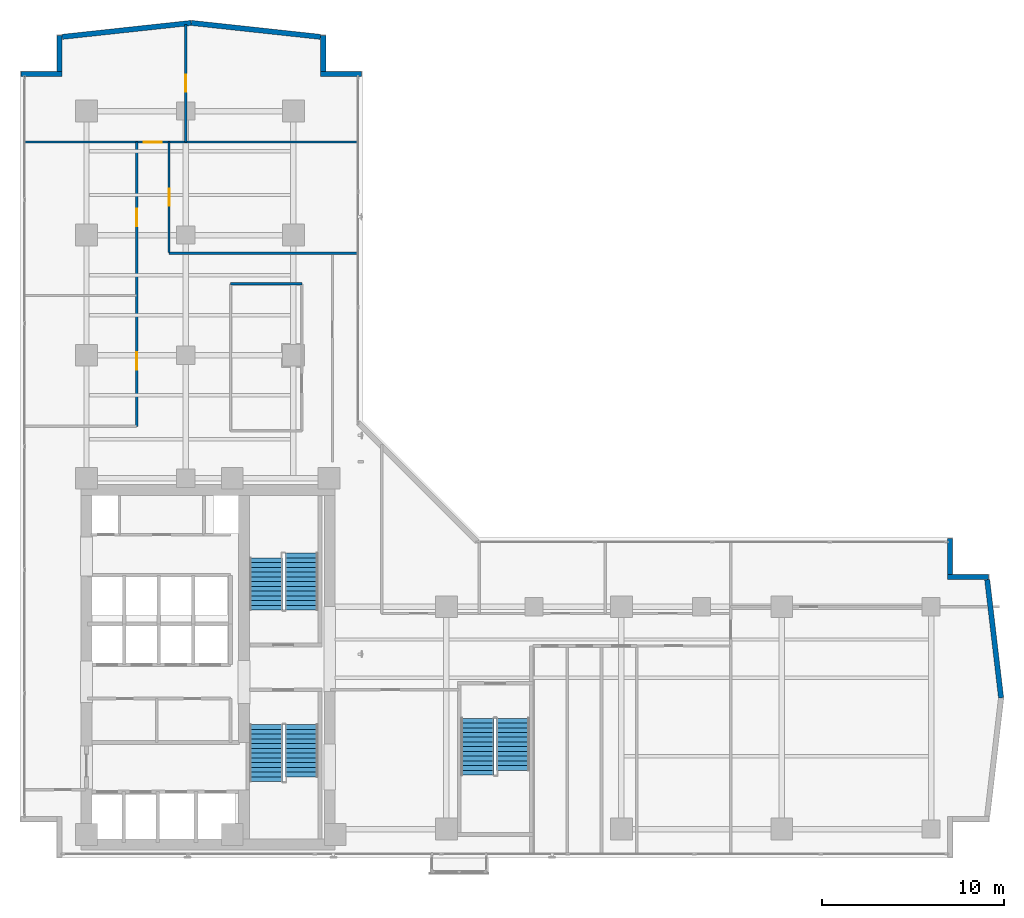
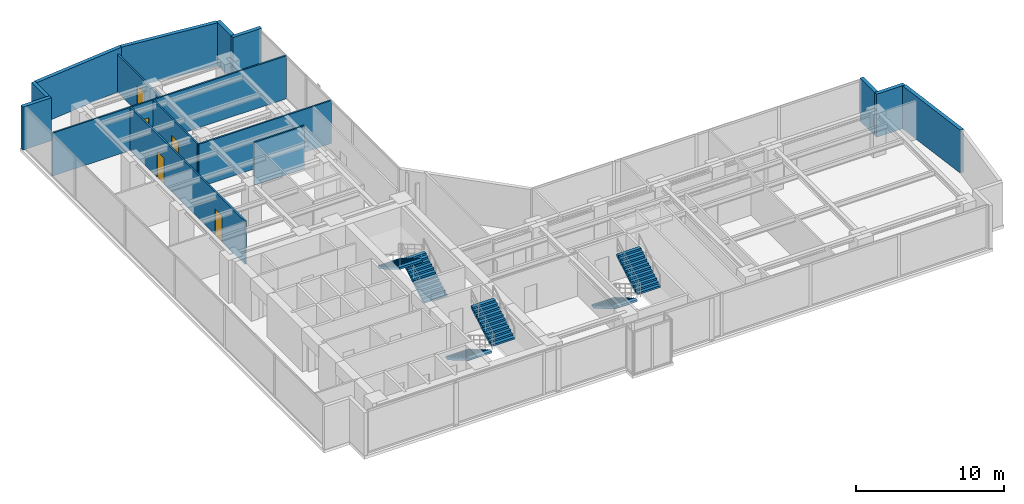
# One storey, part 21 of 24: 15 walls, 6 stair flights, 5 doors, 5 openings, 3 elements without a shape of their own.
"""IFC4 building model written with IfcOpenShell, lengths in metres."""

from ifc_helpers import new_model, si_unit, direction, frame, frame_2d, origin, place, context, subcontext, project, spatial, polyline, rectangle, outline, extrude, material, layer, layer_set, type_object, element, fill, aggregate, save


model = new_model("IFC4")

# Units and contexts
model_context = context("Model", 3, precision=1e-05, world=origin(), true_north=direction((0.0, 1.0)))
body_context = subcontext(model_context, "Body", "Model", "MODEL_VIEW")
ifc_project = project(units=[si_unit("LENGTHUNIT", "METRE"), si_unit("AREAUNIT", "SQUARE_METRE"), si_unit("VOLUMEUNIT", "CUBIC_METRE"), si_unit("PLANEANGLEUNIT", "RADIAN"), si_unit("MASSUNIT", "GRAM", prefix="KILO")], contexts=[model_context])

# Site, building, storey
site_placement = place(None, origin())
site = spatial("IfcSite", under=ifc_project, at=site_placement, CompositionType="ELEMENT")
building_placement = place(site_placement, origin())
building = spatial("IfcBuilding", under=site, at=building_placement, Name="Kolvaren Waterfront Exchange", CompositionType="ELEMENT")
storey_placement = place(building_placement, frame((0.0, 0.0, 184.199951171875)))
storey = spatial("IfcBuildingStorey", under=building, at=storey_placement, Name="L47", CompositionType="ELEMENT", Elevation=184.199951171875)

# Walls
ifc_material_1 = material(Name="Precast concrete C40/50", Category="concrete")
ifc_layer_1 = layer(ifc_material_1, 0.280029296875, Name="Precast concrete C40/50")
ifc_layer_set_1 = layer_set([ifc_layer_1], Name="Precast concrete C40/50")
wall_type_1 = type_object("IfcWallType", Name="ARC-EXT-TERR-280", PredefinedType="SOLIDWALL", material=ifc_layer_set_1)
wall_1_placement = place(storey_placement, frame((54.840087890625, 19.1650390625, 0.0), z_axis=(0.0, 0.0, 1.0), x_axis=(0.0, 1.0, 0.0)))
element("IfcWall", 1, at=wall_1_placement, inside=storey, type_object=wall_type_1, Name="L47 notched corner spandrel pier ENE-A", PredefinedType="SOLIDWALL", context=body_context, shape_type="SweptSolid", body=[
    extrude(rectangle(XDim=1.974853515625, YDim=0.280029296875, at=frame_2d((0.9873046875, 0.0))), origin(), (0.0, 0.0, 1.0), 3.56005859375),
])
for number, where, z_axis, x_axis, name in (
    (2, (54.699951171875, 19.0400390625, 0.0), (0.0, 0.0, 1.0), (1.0, 0.0, 0.0), "L47 notched corner spandrel pier ENE-B"),
    (3, (20.300048828125, 46.639892578125, 0.0), (0.0, 0.0, 1.0), (1.0, 0.0, 0.0), "L47 notched corner spandrel pier NNE-A"),
):
    element("IfcWall", number, at=place(storey_placement, frame(where, z_axis=z_axis, x_axis=x_axis)), inside=storey, type_object=wall_type_1, Name=name, PredefinedType="SOLIDWALL", context=body_context, shape_type="SweptSolid", body=[
        extrude(rectangle(XDim=2.239990234375, YDim=0.280029296875, at=frame_2d((1.1201171875, 0.0))), origin(), (0.0, 0.0, 1.0), 3.56005859375),
    ])
wall_2_placement = place(storey_placement, frame((20.43994140625, 46.780029296875, 0.0), z_axis=(0.0, 0.0, 1.0), x_axis=(0.0, 1.0, 0.0)))
element("IfcWall", 4, at=wall_2_placement, inside=storey, type_object=wall_type_1, Name="L47 notched corner spandrel pier NNE-B", PredefinedType="SOLIDWALL", context=body_context, shape_type="SweptSolid", body=[
    extrude(rectangle(XDim=1.9599609375, YDim=0.280029296875, at=frame_2d((0.97998046875, 0.0))), origin(), (0.0, 0.0, 1.0), 3.56005859375),
])
wall_3_placement = place(storey_placement, frame((3.860107421875, 46.639892578125, 0.0), z_axis=(0.0, 0.0, 1.0), x_axis=(1.0, 0.0, 0.0)))
element("IfcWall", 5, at=wall_3_placement, inside=storey, type_object=wall_type_1, Name="L47 notched corner spandrel pier NW-A", PredefinedType="SOLIDWALL", context=body_context, shape_type="SweptSolid", body=[
    extrude(rectangle(XDim=2.239990234375, YDim=0.280029296875, at=frame_2d((1.1201171875, 0.0))), origin(), (0.0, 0.0, 1.0), 3.56005859375),
])
wall_4_placement = place(storey_placement, frame((5.9599609375, 46.780029296875, 0.0), z_axis=(0.0, 0.0, 1.0), x_axis=(0.0, 1.0, 0.0)))
element("IfcWall", 6, at=wall_4_placement, inside=storey, type_object=wall_type_1, Name="L47 notched corner spandrel pier NW-B", PredefinedType="SOLIDWALL", context=body_context, shape_type="SweptSolid", body=[
    extrude(rectangle(XDim=1.9599609375, YDim=0.280029296875, at=frame_2d((0.97998046875, 0.0))), origin(), (0.0, 0.0, 1.0), 3.56005859375),
])
wall_5_placement = place(storey_placement, frame((57.638916015625, 12.401123046875, 0.0), z_axis=(0.0, 0.0, 1.0), x_axis=(-0.11685426921, 0.993149072278, 0.0)))
element("IfcWall", 7, at=wall_5_placement, inside=storey, type_object=wall_type_1, Name="L47 east prow faceted facade wall 2", PredefinedType="SOLIDWALL", context=body_context, shape_type="SweptSolid", body=[
    extrude(rectangle(XDim=6.52685546875, YDim=0.280029296875, at=frame_2d((3.263427734375, 0.0))), origin(), (0.0, 0.0, 1.0), 3.56005859375),
])
for number, where, z_axis, x_axis, name in (
    (8, (20.284423828125, 48.673095703125, 0.0), (0.0, 0.0, 1.0), (-0.994206651606, 0.107485505548, 0.0), "L47 north prow faceted facade wall 1"),
    (9, (13.197265625, 49.438720703125, 0.0), (0.0, 0.0, 1.0), (-0.994206651606, -0.107485505548, 0.0), "L47 north prow faceted facade wall 2"),
):
    element("IfcWall", number, at=place(storey_placement, frame(where, z_axis=z_axis, x_axis=x_axis)), inside=storey, type_object=wall_type_1, Name=name, PredefinedType="SOLIDWALL", context=body_context, shape_type="SweptSolid", body=[
        extrude(rectangle(XDim=7.123046875, YDim=0.280029296875, at=frame_2d((3.5615234375, 0.0))), origin(), (0.0, 0.0, 1.0), 3.56005859375),
    ])
ifc_material_2 = material(Name="Acoustic gypsum steel stud", Category="steel")
ifc_layer_2 = layer(ifc_material_2, 0.125, Name="Acoustic gypsum steel stud")
ifc_layer_set_2 = layer_set([ifc_layer_2], Name="Acoustic gypsum steel stud")
wall_type_2 = type_object("IfcWallType", Name="ARC-PART-125", PredefinedType="PARTITIONING", material=ifc_layer_set_2)
wall_6_placement = place(storey_placement, frame((15.35009765625, 35.1201171875, 0.0), z_axis=(0.0, 0.0, 1.0), x_axis=(1.0, 0.0, 0.0)))
element("IfcWall", 10, at=wall_6_placement, inside=storey, type_object=wall_type_2, Name="L47 interior wall PW-L47-ISL-N", PredefinedType="PARTITIONING", context=body_context, shape_type="SweptSolid", body=[
    extrude(rectangle(XDim=3.919921875, YDim=0.125, at=frame_2d((1.9599609375, 0.0))), origin(), (0.0, 0.0, 1.0), 3.56005859375),
])
wall_7_placement = place(storey_placement, frame((11.97998046875, 36.800048828125, 0.0), z_axis=(0.0, 0.0, 1.0), x_axis=(1.0, 0.0, 0.0)))
element("IfcWall", 11, at=wall_7_placement, inside=storey, type_object=wall_type_2, Name="L47 interior wall PW-L47-RFLANK-N", PredefinedType="PARTITIONING", context=body_context, shape_type="SweptSolid", body=[
    extrude(rectangle(XDim=10.380126953125, YDim=0.125, at=frame_2d((5.18994140625, 0.0))), origin(), (0.0, 0.0, 1.0), 3.56005859375),
])

# Wall, openings, doors
wall_8_placement = place(storey_placement, frame((10.199951171875, 27.300048828125, 0.0), z_axis=(0.0, 0.0, 1.0), x_axis=(0.0, 1.0, 0.0)))
wall_8 = element("IfcWall", 12, at=wall_8_placement, inside=storey, type_object=wall_type_2, Name="L47 interior wall PW-L47-NW-CORR", PredefinedType="PARTITIONING", context=body_context, shape_type="SweptSolid", body=[
    extrude(rectangle(XDim=15.599853515625, YDim=0.125, at=frame_2d((7.7998046875, 0.0))), origin(), (0.0, 0.0, 1.0), 3.56005859375),
])
opening_1_placement = place(wall_8_placement, frame((3.114990234375, 0.0, 0.0)))
opening_1 = element("IfcOpeningElement", 13, at=opening_1_placement, cuts=wall_8, Name="Opening D02", PredefinedType="OPENING", context=body_context, shape_type="SweptSolid", body=[
    extrude(rectangle(XDim=0.949951171875, YDim=2.14990234375, at=frame_2d((0.47509765625, 1.074951171875))), frame((0.0, 0.072509765625, 0.0), z_axis=(0.0, -1.0, 0.0), x_axis=(1.0, 0.0, 0.0)), (0.0, 0.0, 1.0), 0.14501953125),
])
opening_2_placement = place(wall_8_placement, frame((10.986083984375, 0.0, 0.0)))
opening_2 = element("IfcOpeningElement", 14, at=opening_2_placement, cuts=wall_8, Name="Opening D02", PredefinedType="OPENING", context=body_context, shape_type="SweptSolid", body=[
    extrude(rectangle(XDim=0.949951171875, YDim=2.14990234375, at=frame_2d((0.47509765625, 1.074951171875))), frame((0.0, 0.072509765625, 0.0), z_axis=(0.0, -1.0, 0.0), x_axis=(1.0, 0.0, 0.0)), (0.0, 0.0, 1.0), 0.14501953125),
])
ifc_material_3 = material(Name="Oak veneer acoustic timber", Category="wood")
door_type_1 = type_object("IfcDoorType", Name="ARC-DR-950", OperationType="NOTDEFINED", PredefinedType="DOOR", material=ifc_material_3)
door_1_placement = place(opening_1_placement, origin())
door_1 = element("IfcDoor", 15, at=door_1_placement, inside=storey, type_object=door_type_1, Name="L47 door DR-L47-NW-D-1 (D02)", OperationType="SINGLE_SWING_LEFT", OverallHeight=2.14990234375, OverallWidth=0.949951171875, PredefinedType="DOOR", context=body_context, shape_type="SweptSolid", body=[
    extrude(rectangle(XDim=0.949951171875, YDim=2.14990234375, at=frame_2d((0.47509765625, 1.074951171875))), frame((0.0, 0.02490234375, 0.0), z_axis=(0.0, -1.0, 0.0), x_axis=(1.0, 0.0, 0.0)), (0.0, 0.0, 1.0), 0.050048828125),
])
fill(opening_1, door_1)
door_2_placement = place(opening_2_placement, origin())
door_2 = element("IfcDoor", 16, at=door_2_placement, inside=storey, type_object=door_type_1, Name="L47 door DR-L47-NW-D-2 (D02)", OperationType="SINGLE_SWING_RIGHT", OverallHeight=2.14990234375, OverallWidth=0.949951171875, PredefinedType="DOOR", context=body_context, shape_type="SweptSolid", body=[
    extrude(rectangle(XDim=0.949951171875, YDim=2.14990234375, at=frame_2d((0.47509765625, 1.074951171875))), frame((0.0, 0.02490234375, 0.0), z_axis=(0.0, -1.0, 0.0), x_axis=(1.0, 0.0, 0.0)), (0.0, 0.0, 1.0), 0.050048828125),
])
fill(opening_2, door_2)

# Wall, opening, door
wall_9_placement = place(storey_placement, frame((4.0400390625, 42.89990234375, 0.0), z_axis=(0.0, 0.0, 1.0), x_axis=(1.0, 0.0, 0.0)))
wall_9 = element("IfcWall", 17, at=wall_9_placement, inside=storey, type_object=wall_type_2, Name="L47 interior wall PW-L47-NTIP-S", PredefinedType="PARTITIONING", context=body_context, shape_type="SweptSolid", body=[
    extrude(rectangle(XDim=18.320068359375, YDim=0.125, at=frame_2d((9.16015625, 0.0))), origin(), (0.0, 0.0, 1.0), 3.56005859375),
])
opening_3_placement = place(wall_9_placement, frame((6.550048828125, 0.0, 0.0)))
opening_3 = element("IfcOpeningElement", 18, at=opening_3_placement, cuts=wall_9, Name="Opening D03", PredefinedType="OPENING", context=body_context, shape_type="SweptSolid", body=[
    extrude(rectangle(XDim=1.0, YDim=2.199951171875, at=frame_2d((0.5, 1.10009765625))), frame((0.0, 0.072509765625, 0.0), z_axis=(0.0, -1.0, 0.0), x_axis=(1.0, 0.0, 0.0)), (0.0, 0.0, 1.0), 0.14501953125),
])
ifc_material_4 = material(Name="Oak veneer accessible timber", Category="wood")
door_type_2 = type_object("IfcDoorType", Name="ARC-DR-1000", OperationType="NOTDEFINED", PredefinedType="DOOR", material=ifc_material_4)
door_3_placement = place(opening_3_placement, origin())
door_3 = element("IfcDoor", 19, at=door_3_placement, inside=storey, type_object=door_type_2, Name="L47 door DR-L47-NTIPW-D (D03)", OperationType="SINGLE_SWING_LEFT", OverallHeight=2.199951171875, OverallWidth=1.0, PredefinedType="DOOR", context=body_context, shape_type="SweptSolid", body=[
    extrude(rectangle(XDim=1.0, YDim=2.199951171875, at=frame_2d((0.5, 1.10009765625))), frame((0.0, 0.02490234375, 0.0), z_axis=(0.0, -1.0, 0.0), x_axis=(1.0, 0.0, 0.0)), (0.0, 0.0, 1.0), 0.050048828125),
])
fill(opening_3, door_3)

wall_10_placement = place(storey_placement, frame((12.89990234375, 42.89990234375, 0.0), z_axis=(0.0, 0.0, 1.0), x_axis=(0.0, 1.0, 0.0)))
wall_10 = element("IfcWall", 20, at=wall_10_placement, inside=storey, type_object=wall_type_2, Name="L47 interior wall PW-L47-NTIP-DIV", PredefinedType="PARTITIONING", context=body_context, shape_type="SweptSolid", body=[
    extrude(rectangle(XDim=6.460205078125, YDim=0.125, at=frame_2d((3.22998046875, 0.0))), origin(), (0.0, 0.0, 1.0), 3.110107421875),
])
opening_4_placement = place(wall_10_placement, frame((2.75, 0.0, 0.0)))
opening_4 = element("IfcOpeningElement", 21, at=opening_4_placement, cuts=wall_10, Name="Opening D02", PredefinedType="OPENING", context=body_context, shape_type="SweptSolid", body=[
    extrude(rectangle(XDim=0.949951171875, YDim=2.14990234375, at=frame_2d((0.47509765625, 1.074951171875))), frame((0.0, 0.072509765625, 0.0), z_axis=(0.0, -1.0, 0.0), x_axis=(1.0, 0.0, 0.0)), (0.0, 0.0, 1.0), 0.14501953125),
])
door_4_placement = place(opening_4_placement, origin())
door_4 = element("IfcDoor", 22, at=door_4_placement, inside=storey, type_object=door_type_1, Name="L47 door DR-L47-NTIPE-D (D02)", OperationType="SINGLE_SWING_RIGHT", OverallHeight=2.14990234375, OverallWidth=0.949951171875, PredefinedType="DOOR", context=body_context, shape_type="SweptSolid", body=[
    extrude(rectangle(XDim=0.949951171875, YDim=2.14990234375, at=frame_2d((0.47509765625, 1.074951171875))), frame((0.0, 0.02490234375, 0.0), z_axis=(0.0, -1.0, 0.0), x_axis=(1.0, 0.0, 0.0)), (0.0, 0.0, 1.0), 0.050048828125),
])
fill(opening_4, door_4)

wall_11_placement = place(storey_placement, frame((11.97998046875, 36.85009765625, 0.0), z_axis=(0.0, 0.0, 1.0), x_axis=(0.0, 1.0, 0.0)))
wall_11 = element("IfcWall", 23, at=wall_11_placement, inside=storey, type_object=wall_type_2, Name="L47 interior wall PW-L47-NE-CORR", PredefinedType="PARTITIONING", context=body_context, shape_type="SweptSolid", body=[
    extrude(rectangle(XDim=6.0498046875, YDim=0.125, at=frame_2d((3.02490234375, 0.0))), origin(), (0.0, 0.0, 1.0), 3.56005859375),
])
opening_5_placement = place(wall_11_placement, frame((2.550048828125, 0.0, 0.0)))
opening_5 = element("IfcOpeningElement", 24, at=opening_5_placement, cuts=wall_11, Name="Opening D02", PredefinedType="OPENING", context=body_context, shape_type="SweptSolid", body=[
    extrude(rectangle(XDim=0.949951171875, YDim=2.14990234375, at=frame_2d((0.47509765625, 1.074951171875))), frame((0.0, 0.072509765625, 0.0), z_axis=(0.0, -1.0, 0.0), x_axis=(1.0, 0.0, 0.0)), (0.0, 0.0, 1.0), 0.14501953125),
])
door_5_placement = place(opening_5_placement, origin())
door_5 = element("IfcDoor", 25, at=door_5_placement, inside=storey, type_object=door_type_1, Name="L47 door DR-L47-NE-D-1 (D02)", OperationType="SINGLE_SWING_LEFT", OverallHeight=2.14990234375, OverallWidth=0.949951171875, PredefinedType="DOOR", context=body_context, shape_type="SweptSolid", body=[
    extrude(rectangle(XDim=0.949951171875, YDim=2.14990234375, at=frame_2d((0.47509765625, 1.074951171875))), frame((0.0, 0.02490234375, 0.0), z_axis=(0.0, -1.0, 0.0), x_axis=(1.0, 0.0, 0.0)), (0.0, 0.0, 1.0), 0.050048828125),
])
fill(opening_5, door_5)

# Stair, stair flights
ifc_material_5 = material(Name="Concrete C40/50", Category="concrete")
stair_type = type_object("IfcStairType", Name="ARC-STAIR-3800", PredefinedType="HALF_TURN_STAIR", material=ifc_material_5)
stair_1_placement = place(storey_placement, origin())
stair_1 = element("IfcStair", 26, at=stair_1_placement, inside=storey, type_object=stair_type, Name="L47 Smoke-proof exit stair ST1", PredefinedType="HALF_TURN_STAIR")
stair_flight_type = type_object("IfcStairFlightType", Name="ARC-FLIGHT-3800", PredefinedType="STRAIGHT", material=ifc_material_5)
stair_flight_1_placement = place(storey_placement, frame((17.300048828125, 10.929931640625, 0.0), z_axis=(0.0, 0.0, 1.0), x_axis=(0.0, -1.0, 0.0)))
stair_flight_1 = element("IfcStairFlight", 27, at=stair_flight_1_placement, type_object=stair_flight_type, Name="ST1 flight 1", NumberOfRisers=13, NumberOfTreads=12, PredefinedType="STRAIGHT", RiserHeight=0.152, TreadLength=0.26, context=body_context, shape_type="SweptSolid", body=[
    extrude(outline(polyline([(0.0, 0.0), (0.0, 0.152099609375), (0.260009765625, 0.152099609375), (0.260009765625, 0.303955078125), (0.52001953125, 0.303955078125), (0.52001953125, 0.4560546875), (0.780029296875, 0.4560546875), (0.780029296875, 0.60791015625), (1.0400390625, 0.60791015625), (1.0400390625, 0.760009765625), (1.300048828125, 0.760009765625), (1.300048828125, 0.912109375), (1.56005859375, 0.912109375), (1.56005859375, 1.06396484375), (1.820068359375, 1.06396484375), (1.820068359375, 1.216064453125), (2.080078125, 1.216064453125), (2.080078125, 1.367919921875), (2.340087890625, 1.367919921875), (2.340087890625, 1.52001953125), (2.60009765625, 1.52001953125), (2.60009765625, 1.672119140625), (2.860107421875, 1.672119140625), (2.860107421875, 1.823974609375), (3.1201171875, 1.823974609375), (3.1201171875, 1.97607421875), (3.1201171875, 1.650390625), (0.297119140625, 0.0), (0.0, 0.0)])), frame((0.0, 0.89990234375, 0.0), z_axis=(0.0, -1.0, 0.0), x_axis=(1.0, 0.0, 0.0)), (0.0, 0.0, 1.0), 1.800048828125),
])
stair_flight_2_placement = place(storey_placement, frame((19.260009765625, 8.070068359375, 1.97607421875), z_axis=(0.0, 0.0, 1.0), x_axis=(0.0, 1.0, 0.0)))
stair_flight_2 = element("IfcStairFlight", 28, at=stair_flight_2_placement, type_object=stair_flight_type, Name="ST1 flight 2", NumberOfRisers=12, NumberOfTreads=11, PredefinedType="STRAIGHT", RiserHeight=0.152, TreadLength=0.26, context=body_context, shape_type="SweptSolid", body=[
    extrude(outline(polyline([(0.0, 0.0), (0.0, 0.152099609375), (0.260009765625, 0.152099609375), (0.260009765625, 0.303955078125), (0.52001953125, 0.303955078125), (0.52001953125, 0.4560546875), (0.780029296875, 0.4560546875), (0.780029296875, 0.60791015625), (1.0400390625, 0.60791015625), (1.0400390625, 0.760009765625), (1.300048828125, 0.760009765625), (1.300048828125, 0.912109375), (1.56005859375, 0.912109375), (1.56005859375, 1.06396484375), (1.820068359375, 1.06396484375), (1.820068359375, 1.216064453125), (2.080078125, 1.216064453125), (2.080078125, 1.367919921875), (2.340087890625, 1.367919921875), (2.340087890625, 1.52001953125), (2.60009765625, 1.52001953125), (2.60009765625, 1.672119140625), (2.860107421875, 1.672119140625), (2.860107421875, 1.823974609375), (2.860107421875, 1.498291015625), (0.297119140625, 0.0), (0.0, 0.0)])), frame((0.0, 0.89990234375, 0.0), z_axis=(0.0, -1.0, 0.0), x_axis=(1.0, 0.0, 0.0)), (0.0, 0.0, 1.0), 1.800048828125),
])
aggregate(stair_1, [stair_flight_1, stair_flight_2])

stair_2_placement = place(storey_placement, origin())
stair_2 = element("IfcStair", 29, at=stair_2_placement, inside=storey, type_object=stair_type, Name="L47 Smoke-proof exit stair ST2", PredefinedType="HALF_TURN_STAIR")
stair_flight_3_placement = place(storey_placement, frame((19.260009765625, 17.219970703125, 0.0), z_axis=(0.0, 0.0, 1.0), x_axis=(0.0, 1.0, 0.0)))
stair_flight_3 = element("IfcStairFlight", 30, at=stair_flight_3_placement, type_object=stair_flight_type, Name="ST2 flight 1", NumberOfRisers=13, NumberOfTreads=12, PredefinedType="STRAIGHT", RiserHeight=0.152, TreadLength=0.26, context=body_context, shape_type="SweptSolid", body=[
    extrude(outline(polyline([(0.0, 0.0), (0.0, 0.152099609375), (0.260009765625, 0.152099609375), (0.260009765625, 0.303955078125), (0.52001953125, 0.303955078125), (0.52001953125, 0.4560546875), (0.780029296875, 0.4560546875), (0.780029296875, 0.60791015625), (1.0400390625, 0.60791015625), (1.0400390625, 0.760009765625), (1.300048828125, 0.760009765625), (1.300048828125, 0.912109375), (1.56005859375, 0.912109375), (1.56005859375, 1.06396484375), (1.820068359375, 1.06396484375), (1.820068359375, 1.216064453125), (2.080078125, 1.216064453125), (2.080078125, 1.367919921875), (2.340087890625, 1.367919921875), (2.340087890625, 1.52001953125), (2.60009765625, 1.52001953125), (2.60009765625, 1.672119140625), (2.860107421875, 1.672119140625), (2.860107421875, 1.823974609375), (3.1201171875, 1.823974609375), (3.1201171875, 1.97607421875), (3.1201171875, 1.650390625), (0.297119140625, 0.0), (0.0, 0.0)])), frame((0.0, 0.89990234375, 0.0), z_axis=(0.0, -1.0, 0.0), x_axis=(1.0, 0.0, 0.0)), (0.0, 0.0, 1.0), 1.800048828125),
])
stair_flight_4_placement = place(storey_placement, frame((17.300048828125, 20.080078125, 1.97607421875), z_axis=(0.0, 0.0, 1.0), x_axis=(0.0, -1.0, 0.0)))
stair_flight_4 = element("IfcStairFlight", 31, at=stair_flight_4_placement, type_object=stair_flight_type, Name="ST2 flight 2", NumberOfRisers=12, NumberOfTreads=11, PredefinedType="STRAIGHT", RiserHeight=0.152, TreadLength=0.26, context=body_context, shape_type="SweptSolid", body=[
    extrude(outline(polyline([(0.0, 0.0), (0.0, 0.152099609375), (0.260009765625, 0.152099609375), (0.260009765625, 0.303955078125), (0.52001953125, 0.303955078125), (0.52001953125, 0.4560546875), (0.780029296875, 0.4560546875), (0.780029296875, 0.60791015625), (1.0400390625, 0.60791015625), (1.0400390625, 0.760009765625), (1.300048828125, 0.760009765625), (1.300048828125, 0.912109375), (1.56005859375, 0.912109375), (1.56005859375, 1.06396484375), (1.820068359375, 1.06396484375), (1.820068359375, 1.216064453125), (2.080078125, 1.216064453125), (2.080078125, 1.367919921875), (2.340087890625, 1.367919921875), (2.340087890625, 1.52001953125), (2.60009765625, 1.52001953125), (2.60009765625, 1.672119140625), (2.860107421875, 1.672119140625), (2.860107421875, 1.823974609375), (2.860107421875, 1.498291015625), (0.297119140625, 0.0), (0.0, 0.0)])), frame((0.0, 0.89990234375, 0.0), z_axis=(0.0, -1.0, 0.0), x_axis=(1.0, 0.0, 0.0)), (0.0, 0.0, 1.0), 1.800048828125),
])
aggregate(stair_2, [stair_flight_3, stair_flight_4])

stair_3_placement = place(storey_placement, origin())
stair_3 = element("IfcStair", 32, at=stair_3_placement, inside=storey, type_object=stair_type, Name="L47 Exit stair ST3", PredefinedType="HALF_TURN_STAIR")
stair_flight_5_placement = place(storey_placement, frame((28.89990234375, 11.280029296875, 0.0), z_axis=(0.0, 0.0, 1.0), x_axis=(0.0, -1.0, 0.0)))
stair_flight_5 = element("IfcStairFlight", 33, at=stair_flight_5_placement, type_object=stair_flight_type, Name="ST3 flight 1", NumberOfRisers=13, NumberOfTreads=12, PredefinedType="STRAIGHT", RiserHeight=0.152, TreadLength=0.26, context=body_context, shape_type="SweptSolid", body=[
    extrude(outline(polyline([(0.0, 0.0), (0.0, 0.152099609375), (0.260009765625, 0.152099609375), (0.260009765625, 0.303955078125), (0.52001953125, 0.303955078125), (0.52001953125, 0.4560546875), (0.780029296875, 0.4560546875), (0.780029296875, 0.60791015625), (1.0400390625, 0.60791015625), (1.0400390625, 0.760009765625), (1.300048828125, 0.760009765625), (1.300048828125, 0.912109375), (1.56005859375, 0.912109375), (1.56005859375, 1.06396484375), (1.820068359375, 1.06396484375), (1.820068359375, 1.216064453125), (2.080078125, 1.216064453125), (2.080078125, 1.367919921875), (2.340087890625, 1.367919921875), (2.340087890625, 1.52001953125), (2.60009765625, 1.52001953125), (2.60009765625, 1.672119140625), (2.860107421875, 1.672119140625), (2.860107421875, 1.823974609375), (3.1201171875, 1.823974609375), (3.1201171875, 1.97607421875), (3.1201171875, 1.650390625), (0.297119140625, 0.0), (0.0, 0.0)])), frame((0.0, 0.89990234375, 0.0), z_axis=(0.0, -1.0, 0.0), x_axis=(1.0, 0.0, 0.0)), (0.0, 0.0, 1.0), 1.800048828125),
])
stair_flight_6_placement = place(storey_placement, frame((30.860107421875, 8.419921875, 1.97607421875), z_axis=(0.0, 0.0, 1.0), x_axis=(0.0, 1.0, 0.0)))
stair_flight_6 = element("IfcStairFlight", 34, at=stair_flight_6_placement, type_object=stair_flight_type, Name="ST3 flight 2", NumberOfRisers=12, NumberOfTreads=11, PredefinedType="STRAIGHT", RiserHeight=0.152, TreadLength=0.26, context=body_context, shape_type="SweptSolid", body=[
    extrude(outline(polyline([(0.0, 0.0), (0.0, 0.152099609375), (0.260009765625, 0.152099609375), (0.260009765625, 0.303955078125), (0.52001953125, 0.303955078125), (0.52001953125, 0.4560546875), (0.780029296875, 0.4560546875), (0.780029296875, 0.60791015625), (1.0400390625, 0.60791015625), (1.0400390625, 0.760009765625), (1.300048828125, 0.760009765625), (1.300048828125, 0.912109375), (1.56005859375, 0.912109375), (1.56005859375, 1.06396484375), (1.820068359375, 1.06396484375), (1.820068359375, 1.216064453125), (2.080078125, 1.216064453125), (2.080078125, 1.367919921875), (2.340087890625, 1.367919921875), (2.340087890625, 1.52001953125), (2.60009765625, 1.52001953125), (2.60009765625, 1.672119140625), (2.860107421875, 1.672119140625), (2.860107421875, 1.823974609375), (2.860107421875, 1.498291015625), (0.297119140625, 0.0), (0.0, 0.0)])), frame((0.0, 0.89990234375, 0.0), z_axis=(0.0, -1.0, 0.0), x_axis=(1.0, 0.0, 0.0)), (0.0, 0.0, 1.0), 1.800048828125),
])
aggregate(stair_3, [stair_flight_5, stair_flight_6])

save(model, "model.ifc")
